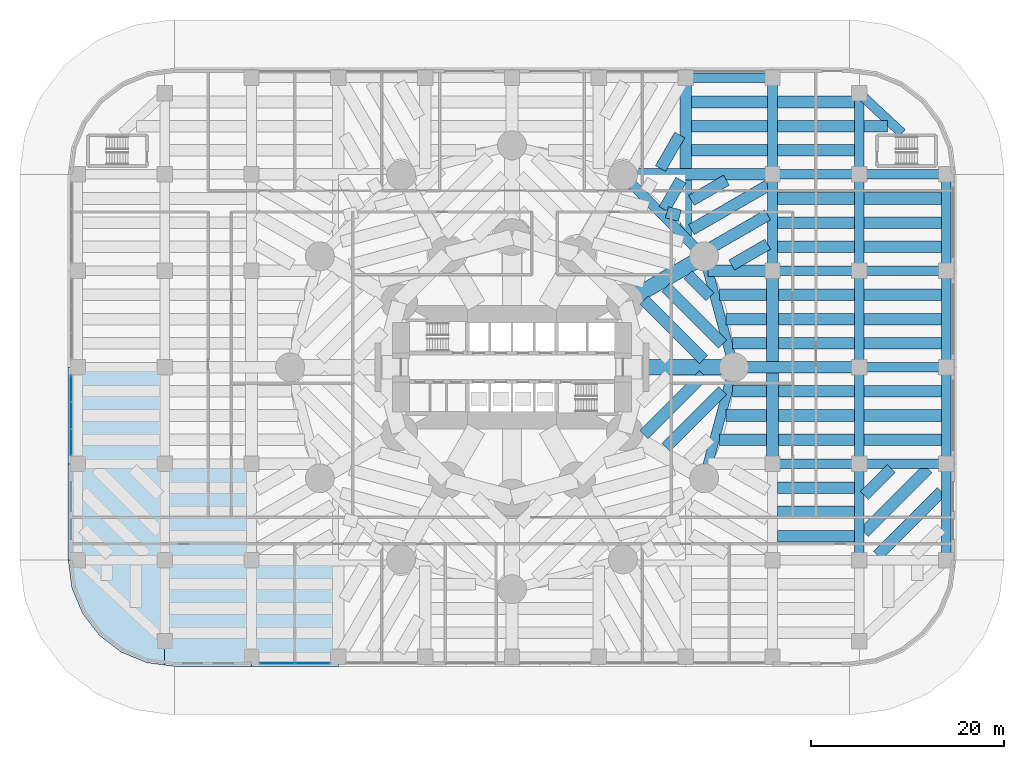
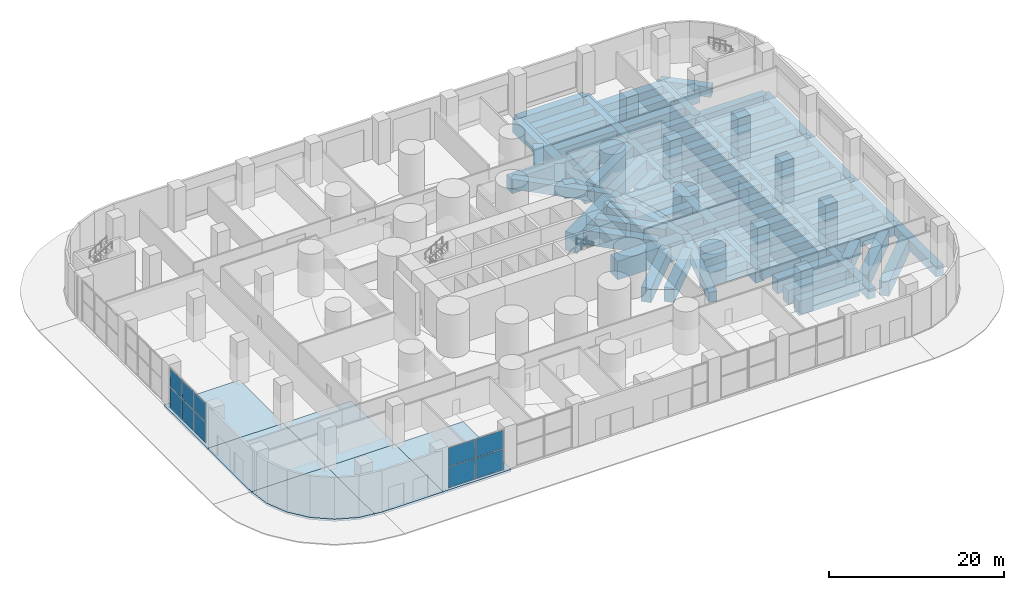
# One storey, part 9 of 20: 79 beams, 10 plates, 6 slabs, 3 elements without a shape of their own.
"""IFC4 building model written with IfcOpenShell, lengths in metres."""

from ifc_helpers import new_model, si_unit, direction, frame, origin, origin_2d, place, context, subcontext, project, spatial, polyline, rectangle, outline, extrude, material, layer, layer_set, material_profile, profile_set, type_object, element, aggregate, save


model = new_model("IFC4")

# Units and contexts
model_context = context("Model", 3, precision=1e-05, world=origin(), true_north=direction((0.0, 1.0)))
body_context = subcontext(model_context, "Body", "Model", "MODEL_VIEW")
ifc_project = project(units=[si_unit("LENGTHUNIT", "METRE"), si_unit("AREAUNIT", "SQUARE_METRE"), si_unit("VOLUMEUNIT", "CUBIC_METRE"), si_unit("PLANEANGLEUNIT", "RADIAN"), si_unit("MASSUNIT", "GRAM", prefix="KILO")], contexts=[model_context])

# Site, building, storey
site_placement = place(None, origin())
site = spatial("IfcSite", under=ifc_project, at=site_placement, CompositionType="ELEMENT")
building_placement = place(site_placement, origin())
building = spatial("IfcBuilding", under=site, at=building_placement, Name="Qaws Media Tower", CompositionType="ELEMENT")
storey_placement = place(building_placement, origin())
storey = spatial("IfcBuildingStorey", under=building, at=storey_placement, Name="L00", CompositionType="ELEMENT", Elevation=0.0)

# Beams
ifc_material_1 = material(Name="Concrete C60/75", Category="concrete")
ifc_material_profile_1 = material_profile(ifc_material_1, rectangle(XDim=1.0, YDim=1.39990234375, at=origin_2d()), Name="RC 1000x1400")
ifc_profile_set_1 = profile_set([ifc_material_profile_1], Name="Concrete C60/75")
beam_type_1 = type_object("IfcBeamType", Name="Podium edge beam RC 1000x1400", PredefinedType="BEAM", material=ifc_profile_set_1)
for number, where, z_axis, x_axis, name in (
    (1, (83.0, 50.0, -1.0), (-0.258809885148, 0.965928280645, 0.0), (-0.965928280645, -0.258809885148, 0.0), "PB3 beam M01-M02"),
    (2, (79.918701171875, 61.5, -1.0), (-0.707106781187, 0.707106781187, 0.0), (-0.707106781187, -0.707106781187, 0.0), "PB3 beam M02-M03"),
    (3, (79.918701171875, 38.5, -1.0), (0.258809885148, 0.965928280645, 0.0), (-0.965928280645, 0.258809885148, 0.0), "PB3 beam M12-M01"),
):
    element("IfcBeam", number, at=place(storey_placement, frame(where, z_axis=z_axis, x_axis=x_axis)), inside=storey, type_object=beam_type_1, Name=name, PredefinedType="BEAM", context=body_context, shape_type="SweptSolid", body=[
        extrude(rectangle(XDim=1.0, YDim=1.39990234375, at=origin_2d()), origin(), (0.0, 0.0, 1.0), 11.90576171875),
    ])
ifc_material_2 = material(Name="Concrete C60/75", Category="concrete")
ifc_material_profile_2 = material_profile(ifc_material_2, rectangle(XDim=1.0, YDim=1.39990234375, at=origin_2d()), Name="RC 1000x1400")
ifc_profile_set_2 = profile_set([ifc_material_profile_2], Name="Concrete C60/75")
beam_type_2 = type_object("IfcBeamType", Name="Podium girder RC 1000x1400", PredefinedType="BEAM", material=ifc_profile_set_2)
for number, where, z_axis, x_axis, name in (
    (4, (87.0, 40.0, -1.0), (1.0, 0.0, 0.0), (0.0, 1.0, 0.0), "PB5 beam 9-10/C"),
    (5, (96.0, 40.0, -1.0), (1.0, 0.0, 0.0), (0.0, 1.0, 0.0), "PB5 beam 10-11/C"),
    (6, (96.0, 50.0, -1.0), (1.0, 0.0, 0.0), (0.0, 1.0, 0.0), "PB5 beam 10-11/D"),
    (7, (87.0, 60.0, -1.0), (1.0, 0.0, 0.0), (0.0, 1.0, 0.0), "PB5 beam 9-10/E"),
    (8, (96.0, 60.0, -1.0), (1.0, 0.0, 0.0), (0.0, 1.0, 0.0), "PB5 beam 10-11/E"),
    (9, (87.0, 70.0, -1.0), (1.0, 0.0, 0.0), (0.0, 1.0, 0.0), "PB5 beam 9-10/F"),
    (10, (96.0, 70.0, -1.0), (1.0, 0.0, 0.0), (0.0, 1.0, 0.0), "PB5 beam 10-11/F"),
    (11, (78.0, 80.0, -1.0), (1.0, 0.0, 0.0), (0.0, 1.0, 0.0), "PB5 beam 8-9/G"),
):
    element("IfcBeam", number, at=place(storey_placement, frame(where, z_axis=z_axis, x_axis=x_axis)), inside=storey, type_object=beam_type_2, Name=name, PredefinedType="BEAM", context=body_context, shape_type="SweptSolid", body=[
        extrude(rectangle(XDim=1.0, YDim=1.39990234375, at=origin_2d()), origin(), (0.0, 0.0, 1.0), 9.0),
    ])
for number, where, z_axis, x_axis, name in (
    (12, (87.0, 60.0, -1.0), (0.0, 1.0, 0.0), (-1.0, 0.0, 0.0), "PB5 beam 9/E-F"),
    (13, (87.0, 70.0, -1.0), (0.0, 1.0, 0.0), (-1.0, 0.0, 0.0), "PB5 beam 9/F-G"),
    (14, (96.0, 30.0, -1.0), (0.0, 1.0, 0.0), (-1.0, 0.0, 0.0), "PB5 beam 10/B-C"),
    (15, (96.0, 40.0, -1.0), (0.0, 1.0, 0.0), (-1.0, 0.0, 0.0), "PB5 beam 10/C-D"),
    (16, (96.0, 50.0, -1.0), (0.0, 1.0, 0.0), (-1.0, 0.0, 0.0), "PB5 beam 10/D-E"),
    (17, (96.0, 60.0, -1.0), (0.0, 1.0, 0.0), (-1.0, 0.0, 0.0), "PB5 beam 10/E-F"),
):
    element("IfcBeam", number, at=place(storey_placement, frame(where, z_axis=z_axis, x_axis=x_axis)), inside=storey, type_object=beam_type_2, Name=name, PredefinedType="BEAM", context=body_context, shape_type="SweptSolid", body=[
        extrude(rectangle(XDim=1.0, YDim=1.39990234375, at=origin_2d()), origin(), (0.0, 0.0, 1.0), 10.0),
    ])
beam_1_placement = place(storey_placement, frame((96.0, 70.0, -1.0), z_axis=(0.0, 1.0, 0.0), x_axis=(-1.0, 0.0, 0.0)))
element("IfcBeam", 18, at=beam_1_placement, inside=storey, type_object=beam_type_2, Name="PB5 beam 10/F-G", PredefinedType="BEAM", context=body_context, shape_type="SweptSolid", body=[
    extrude(rectangle(XDim=1.0, YDim=1.39990234375, at=origin_2d()), origin(), (0.0, 0.0, 1.0), 8.39990234375),
])
for number, where, z_axis, x_axis, name in (
    (19, (105.0, 30.0, -1.0), (0.0, 1.0, 0.0), (-1.0, 0.0, 0.0), "PB5 beam 11/B-C"),
    (20, (105.0, 40.0, -1.0), (0.0, 1.0, 0.0), (-1.0, 0.0, 0.0), "PB5 beam 11/C-D"),
    (21, (105.0, 50.0, -1.0), (0.0, 1.0, 0.0), (-1.0, 0.0, 0.0), "PB5 beam 11/D-E"),
    (22, (105.0, 60.0, -1.0), (0.0, 1.0, 0.0), (-1.0, 0.0, 0.0), "PB5 beam 11/E-F"),
):
    element("IfcBeam", number, at=place(storey_placement, frame(where, z_axis=z_axis, x_axis=x_axis)), inside=storey, type_object=beam_type_2, Name=name, PredefinedType="BEAM", context=body_context, shape_type="SweptSolid", body=[
        extrude(rectangle(XDim=1.0, YDim=1.39990234375, at=origin_2d()), origin(), (0.0, 0.0, 1.0), 10.0),
    ])
beam_2_placement = place(storey_placement, frame((100.4267578125, 74.268310546875, -1.0), z_axis=(-0.731059290527, 0.682313940745, 0.0), x_axis=(-0.682313940745, -0.731059290527, 0.0)))
element("IfcBeam", 23, at=beam_2_placement, inside=storey, type_object=beam_type_2, Name="PB5 beam S4-10/G", PredefinedType="BEAM", context=body_context, shape_type="SweptSolid", body=[
    extrude(rectangle(XDim=1.0, YDim=1.39990234375, at=origin_2d()), origin(), (0.0, 0.0, 1.0), 6.05517578125),
])
ifc_material_3 = material(Name="Concrete C60/75", Category="concrete")
ifc_material_profile_3 = material_profile(ifc_material_3, rectangle(XDim=1.199951171875, YDim=2.0, at=origin_2d()), Name="RC 1200x2000")
ifc_profile_set_3 = profile_set([ifc_material_profile_3], Name="Concrete C60/75")
beam_type_3 = type_object("IfcBeamType", Name="Podium long trimmer beam RC 1200x2000", PredefinedType="BEAM", material=ifc_profile_set_3)
beam_3_placement = place(storey_placement, frame((87.0, 70.0, -1.300048828125), z_axis=(-1.0, 0.0, 0.0), x_axis=(0.0, -1.0, 0.0)))
element("IfcBeam", 24, at=beam_3_placement, inside=storey, type_object=beam_type_3, Name="PB11 beam 9/F to the tower ring", PredefinedType="BEAM", context=body_context, shape_type="SweptSolid", body=[
    extrude(rectangle(XDim=1.199951171875, YDim=2.0, at=origin_2d()), origin(), (0.0, 0.0, 1.0), 15.803955078125),
])
beam_4_placement = place(storey_placement, frame((78.0, 80.0, -1.300048828125), z_axis=(0.0, -1.0, 0.0), x_axis=(1.0, 0.0, 0.0)))
element("IfcBeam", 25, at=beam_4_placement, inside=storey, type_object=beam_type_3, Name="PB11 beam 8/G to the tower ring", PredefinedType="BEAM", context=body_context, shape_type="SweptSolid", body=[
    extrude(rectangle(XDim=1.199951171875, YDim=2.0, at=origin_2d()), origin(), (0.0, 0.0, 1.0), 16.581298828125),
])
beam_5_placement = place(storey_placement, frame((87.0, 40.0, -1.300048828125), z_axis=(0.0, 1.0, 0.0), x_axis=(-1.0, 0.0, 0.0)))
element("IfcBeam", 26, at=beam_5_placement, inside=storey, type_object=beam_type_3, Name="PB11 beam 9/C-9/E", PredefinedType="BEAM", context=body_context, shape_type="SweptSolid", body=[
    extrude(rectangle(XDim=1.199951171875, YDim=2.0, at=origin_2d()), origin(), (0.0, 0.0, 1.0), 20.0),
])
ifc_material_4 = material(Name="Concrete C60/75", Category="concrete")
ifc_material_profile_4 = material_profile(ifc_material_4, rectangle(XDim=1.199951171875, YDim=2.0, at=origin_2d()), Name="RC 1200x2000")
ifc_profile_set_4 = profile_set([ifc_material_profile_4], Name="Concrete C60/75")
beam_type_4 = type_object("IfcBeamType", Name="Podium secondary beam RC 1200x2000", PredefinedType="BEAM", material=ifc_profile_set_4)
beam_6_placement = place(storey_placement, frame((75.763671875, 66.362060546875, -1.300048828125), z_axis=(0.500001597329, 0.866024481564, 0.0), x_axis=(-0.866024481564, 0.500001597329, 0.0)))
element("IfcBeam", 27, at=beam_6_placement, inside=storey, type_object=beam_type_4, Name="PB7 beam bay 7E line 1", PredefinedType="BEAM", context=body_context, shape_type="SweptSolid", body=[
    extrude(rectangle(XDim=1.199951171875, YDim=2.0, at=origin_2d()), origin(), (0.0, 0.0, 1.0), 3.5078125),
])
beam_7_placement = place(storey_placement, frame((75.3916015625, 70.60009765625, -1.300048828125), z_axis=(0.500022371132, 0.86601248742, 0.0), x_axis=(-0.86601248742, 0.500022371132, 0.0)))
element("IfcBeam", 28, at=beam_7_placement, inside=storey, type_object=beam_type_4, Name="PB7 beam bay 7F line 1", PredefinedType="BEAM", context=body_context, shape_type="SweptSolid", body=[
    extrude(rectangle(XDim=1.199951171875, YDim=2.0, at=origin_2d()), origin(), (0.0, 0.0, 1.0), 4.016357421875),
])
beam_8_placement = place(storey_placement, frame((81.508056640625, 42.5, -1.300048828125), z_axis=(1.0, 0.0, 0.0), x_axis=(0.0, 1.0, 0.0)))
element("IfcBeam", 29, at=beam_8_placement, inside=storey, type_object=beam_type_4, Name="PB7 beam bay 8C line 1", PredefinedType="BEAM", context=body_context, shape_type="SweptSolid", body=[
    extrude(rectangle(XDim=1.199951171875, YDim=2.0, at=origin_2d()), origin(), (0.0, 0.0, 1.0), 4.891845703125),
])
beam_9_placement = place(storey_placement, frame((82.177978515625, 45.0, -1.300048828125), z_axis=(1.0, 0.0, 0.0), x_axis=(0.0, 1.0, 0.0)))
element("IfcBeam", 30, at=beam_9_placement, inside=storey, type_object=beam_type_4, Name="PB7 beam bay 8C line 2", PredefinedType="BEAM", context=body_context, shape_type="SweptSolid", body=[
    extrude(rectangle(XDim=1.199951171875, YDim=2.0, at=origin_2d()), origin(), (0.0, 0.0, 1.0), 4.221923828125),
])
for number, where, z_axis, x_axis, name in (
    (31, (82.84765625, 47.5, -1.300048828125), (1.0, 0.0, 0.0), (0.0, 1.0, 0.0), "PB7 beam bay 8C line 3"),
    (32, (82.84765625, 52.5, -1.300048828125), (1.0, 0.0, 0.0), (0.0, 1.0, 0.0), "PB7 beam bay 8D line 1"),
):
    element("IfcBeam", number, at=place(storey_placement, frame(where, z_axis=z_axis, x_axis=x_axis)), inside=storey, type_object=beam_type_4, Name=name, PredefinedType="BEAM", context=body_context, shape_type="SweptSolid", body=[
        extrude(rectangle(XDim=1.199951171875, YDim=2.0, at=origin_2d()), origin(), (0.0, 0.0, 1.0), 3.55224609375),
    ])
beam_10_placement = place(storey_placement, frame((82.177978515625, 55.0, -1.300048828125), z_axis=(1.0, 0.0, 0.0), x_axis=(0.0, 1.0, 0.0)))
element("IfcBeam", 33, at=beam_10_placement, inside=storey, type_object=beam_type_4, Name="PB7 beam bay 8D line 2", PredefinedType="BEAM", context=body_context, shape_type="SweptSolid", body=[
    extrude(rectangle(XDim=1.199951171875, YDim=2.0, at=origin_2d()), origin(), (0.0, 0.0, 1.0), 4.221923828125),
])
beam_11_placement = place(storey_placement, frame((81.508056640625, 57.5, -1.300048828125), z_axis=(1.0, 0.0, 0.0), x_axis=(0.0, 1.0, 0.0)))
element("IfcBeam", 34, at=beam_11_placement, inside=storey, type_object=beam_type_4, Name="PB7 beam bay 8D line 3", PredefinedType="BEAM", context=body_context, shape_type="SweptSolid", body=[
    extrude(rectangle(XDim=1.199951171875, YDim=2.0, at=origin_2d()), origin(), (0.0, 0.0, 1.0), 4.891845703125),
])
beam_12_placement = place(storey_placement, frame((82.775146484375, 60.60009765625, -1.300048828125), z_axis=(0.866040963478, 0.499973048851, 0.0), x_axis=(-0.499973048851, 0.866040963478, 0.0)))
element("IfcBeam", 35, at=beam_12_placement, inside=storey, type_object=beam_type_4, Name="PB7 beam bay 8E line 1", PredefinedType="BEAM", context=body_context, shape_type="SweptSolid", body=[
    extrude(rectangle(XDim=1.199951171875, YDim=2.0, at=origin_2d()), origin(), (0.0, 0.0, 1.0), 4.301025390625),
])
beam_13_placement = place(storey_placement, frame((80.05615234375, 62.069580078125, -1.300048828125), z_axis=(0.866033686948, 0.499985652865, 0.0), x_axis=(-0.499985652865, 0.866033686948, 0.0)))
element("IfcBeam", 36, at=beam_13_placement, inside=storey, type_object=beam_type_4, Name="PB7 beam bay 8E line 2", PredefinedType="BEAM", context=body_context, shape_type="SweptSolid", body=[
    extrude(rectangle(XDim=1.199951171875, YDim=2.0, at=origin_2d()), origin(), (0.0, 0.0, 1.0), 7.440673828125),
])
beam_14_placement = place(storey_placement, frame((78.60009765625, 64.26806640625, -1.300048828125), z_axis=(0.866024244995, 0.500002007077, 0.0), x_axis=(-0.500002007077, 0.866024244995, 0.0)))
element("IfcBeam", 37, at=beam_14_placement, inside=storey, type_object=beam_type_4, Name="PB7 beam bay 8E line 3", PredefinedType="BEAM", context=body_context, shape_type="SweptSolid", body=[
    extrude(rectangle(XDim=1.199951171875, YDim=2.0, at=origin_2d()), origin(), (0.0, 0.0, 1.0), 9.1220703125),
])
beam_15_placement = place(storey_placement, frame((78.60009765625, 67.30712890625, -1.300048828125), z_axis=(0.866023369196, 0.500003523994, 0.0), x_axis=(-0.500003523994, 0.866023369196, 0.0)))
element("IfcBeam", 38, at=beam_15_placement, inside=storey, type_object=beam_type_4, Name="PB7 beam bay 8E line 4", PredefinedType="BEAM", context=body_context, shape_type="SweptSolid", body=[
    extrude(rectangle(XDim=1.199951171875, YDim=2.0, at=origin_2d()), origin(), (0.0, 0.0, 1.0), 4.185546875),
])
for number, where, z_axis, x_axis, name in (
    (39, (78.60009765625, 72.5, -1.300048828125), (1.0, 0.0, 0.0), (0.0, 1.0, 0.0), "PB7 beam bay 8F line 1"),
    (40, (78.60009765625, 75.0, -1.300048828125), (1.0, 0.0, 0.0), (0.0, 1.0, 0.0), "PB7 beam bay 8F line 2"),
    (41, (78.60009765625, 77.5, -1.300048828125), (1.0, 0.0, 0.0), (0.0, 1.0, 0.0), "PB7 beam bay 8F line 3"),
):
    element("IfcBeam", number, at=place(storey_placement, frame(where, z_axis=z_axis, x_axis=x_axis)), inside=storey, type_object=beam_type_4, Name=name, PredefinedType="BEAM", context=body_context, shape_type="SweptSolid", body=[
        extrude(rectangle(XDim=1.199951171875, YDim=2.0, at=origin_2d()), origin(), (0.0, 0.0, 1.0), 7.89990234375),
    ])
for number, where, z_axis, x_axis, name in (
    (42, (87.5, 32.5, -1.300048828125), (1.0, 0.0, 0.0), (0.0, 1.0, 0.0), "PB7 beam bay 9B line 1"),
    (43, (87.5, 35.0, -1.300048828125), (1.0, 0.0, 0.0), (0.0, 1.0, 0.0), "PB7 beam bay 9B line 2"),
    (44, (87.5, 37.5, -1.300048828125), (1.0, 0.0, 0.0), (0.0, 1.0, 0.0), "PB7 beam bay 9B line 3"),
):
    element("IfcBeam", number, at=place(storey_placement, frame(where, z_axis=z_axis, x_axis=x_axis)), inside=storey, type_object=beam_type_4, Name=name, PredefinedType="BEAM", context=body_context, shape_type="SweptSolid", body=[
        extrude(rectangle(XDim=1.199951171875, YDim=2.0, at=origin_2d()), origin(), (0.0, 0.0, 1.0), 8.0),
    ])
for number, where, z_axis, x_axis, name in (
    (45, (87.60009765625, 42.5, -1.300048828125), (1.0, 0.0, 0.0), (0.0, 1.0, 0.0), "PB7 beam bay 9C line 1"),
    (46, (87.60009765625, 45.0, -1.300048828125), (1.0, 0.0, 0.0), (0.0, 1.0, 0.0), "PB7 beam bay 9C line 2"),
    (47, (87.60009765625, 47.5, -1.300048828125), (1.0, 0.0, 0.0), (0.0, 1.0, 0.0), "PB7 beam bay 9C line 3"),
    (48, (87.60009765625, 52.5, -1.300048828125), (1.0, 0.0, 0.0), (0.0, 1.0, 0.0), "PB7 beam bay 9D line 1"),
    (49, (87.60009765625, 55.0, -1.300048828125), (1.0, 0.0, 0.0), (0.0, 1.0, 0.0), "PB7 beam bay 9D line 2"),
    (50, (87.60009765625, 57.5, -1.300048828125), (1.0, 0.0, 0.0), (0.0, 1.0, 0.0), "PB7 beam bay 9D line 3"),
):
    element("IfcBeam", number, at=place(storey_placement, frame(where, z_axis=z_axis, x_axis=x_axis)), inside=storey, type_object=beam_type_4, Name=name, PredefinedType="BEAM", context=body_context, shape_type="SweptSolid", body=[
        extrude(rectangle(XDim=1.199951171875, YDim=2.0, at=origin_2d()), origin(), (0.0, 0.0, 1.0), 7.89990234375),
    ])
for number, where, z_axis, x_axis, name in (
    (51, (87.5, 62.5, -1.300048828125), (1.0, 0.0, 0.0), (0.0, 1.0, 0.0), "PB7 beam bay 9E line 1"),
    (52, (87.5, 65.0, -1.300048828125), (1.0, 0.0, 0.0), (0.0, 1.0, 0.0), "PB7 beam bay 9E line 2"),
    (53, (87.5, 67.5, -1.300048828125), (1.0, 0.0, 0.0), (0.0, 1.0, 0.0), "PB7 beam bay 9E line 3"),
    (54, (87.5, 72.5, -1.300048828125), (1.0, 0.0, 0.0), (0.0, 1.0, 0.0), "PB7 beam bay 9F line 1"),
    (55, (87.5, 75.0, -1.300048828125), (1.0, 0.0, 0.0), (0.0, 1.0, 0.0), "PB7 beam bay 9F line 2"),
    (56, (87.5, 77.5, -1.300048828125), (1.0, 0.0, 0.0), (0.0, 1.0, 0.0), "PB7 beam bay 9F line 3"),
):
    element("IfcBeam", number, at=place(storey_placement, frame(where, z_axis=z_axis, x_axis=x_axis)), inside=storey, type_object=beam_type_4, Name=name, PredefinedType="BEAM", context=body_context, shape_type="SweptSolid", body=[
        extrude(rectangle(XDim=1.199951171875, YDim=2.0, at=origin_2d()), origin(), (0.0, 0.0, 1.0), 8.0),
    ])
for number, where, z_axis, x_axis, name in (
    (57, (97.89990234375, 30.5, -1.300048828125), (0.707106781187, 0.707106781187, 0.0), (-0.707106781187, 0.707106781187, 0.0), "PB7 beam bay 10B line 2"),
    (58, (96.5, 32.89990234375, -1.300048828125), (0.707106781187, 0.707106781187, 0.0), (-0.707106781187, 0.707106781187, 0.0), "PB7 beam bay 10B line 3"),
):
    element("IfcBeam", number, at=place(storey_placement, frame(where, z_axis=z_axis, x_axis=x_axis)), inside=storey, type_object=beam_type_4, Name=name, PredefinedType="BEAM", context=body_context, shape_type="SweptSolid", body=[
        extrude(rectangle(XDim=1.199951171875, YDim=2.0, at=origin_2d()), origin(), (0.0, 0.0, 1.0), 9.333984375),
    ])
beam_16_placement = place(storey_placement, frame((96.5, 36.699951171875, -1.300048828125), z_axis=(0.707106781187, 0.707106781187, 0.0), x_axis=(-0.707106781187, 0.707106781187, 0.0)))
element("IfcBeam", 59, at=beam_16_placement, inside=storey, type_object=beam_type_4, Name="PB7 beam bay 10B line 4", PredefinedType="BEAM", context=body_context, shape_type="SweptSolid", body=[
    extrude(rectangle(XDim=1.199951171875, YDim=2.0, at=origin_2d()), origin(), (0.0, 0.0, 1.0), 3.9599609375),
])
for number, where, z_axis, x_axis, name in (
    (60, (96.5, 42.5, -1.300048828125), (1.0, 0.0, 0.0), (0.0, 1.0, 0.0), "PB7 beam bay 10C line 1"),
    (61, (96.5, 45.0, -1.300048828125), (1.0, 0.0, 0.0), (0.0, 1.0, 0.0), "PB7 beam bay 10C line 2"),
    (62, (96.5, 47.5, -1.300048828125), (1.0, 0.0, 0.0), (0.0, 1.0, 0.0), "PB7 beam bay 10C line 3"),
    (63, (96.5, 52.5, -1.300048828125), (1.0, 0.0, 0.0), (0.0, 1.0, 0.0), "PB7 beam bay 10D line 1"),
    (64, (96.5, 55.0, -1.300048828125), (1.0, 0.0, 0.0), (0.0, 1.0, 0.0), "PB7 beam bay 10D line 2"),
    (65, (96.5, 57.5, -1.300048828125), (1.0, 0.0, 0.0), (0.0, 1.0, 0.0), "PB7 beam bay 10D line 3"),
    (66, (96.5, 62.5, -1.300048828125), (1.0, 0.0, 0.0), (0.0, 1.0, 0.0), "PB7 beam bay 10E line 1"),
    (67, (96.5, 65.0, -1.300048828125), (1.0, 0.0, 0.0), (0.0, 1.0, 0.0), "PB7 beam bay 10E line 2"),
    (68, (96.5, 67.5, -1.300048828125), (1.0, 0.0, 0.0), (0.0, 1.0, 0.0), "PB7 beam bay 10E line 3"),
):
    element("IfcBeam", number, at=place(storey_placement, frame(where, z_axis=z_axis, x_axis=x_axis)), inside=storey, type_object=beam_type_4, Name=name, PredefinedType="BEAM", context=body_context, shape_type="SweptSolid", body=[
        extrude(rectangle(XDim=1.199951171875, YDim=2.0, at=origin_2d()), origin(), (0.0, 0.0, 1.0), 8.0),
    ])
beam_17_placement = place(storey_placement, frame((96.5, 75.0, -1.300048828125), z_axis=(1.0, 0.0, 0.0), x_axis=(0.0, 1.0, 0.0)))
element("IfcBeam", 69, at=beam_17_placement, inside=storey, type_object=beam_type_4, Name="PB7 beam bay 10F line 1", PredefinedType="BEAM", context=body_context, shape_type="SweptSolid", body=[
    extrude(rectangle(XDim=1.199951171875, YDim=2.0, at=origin_2d()), origin(), (0.0, 0.0, 1.0), 2.41015625),
])
beam_18_placement = place(storey_placement, frame((80.523193359375, 57.311767578125, -1.300048828125), z_axis=(-0.707144458383, 0.707069101983, 0.0), x_axis=(-0.707069101983, -0.707144458383, 0.0)))
element("IfcBeam", 70, at=beam_18_placement, inside=storey, type_object=beam_type_4, Name="PB7 beam bay T01 line 1", PredefinedType="BEAM", context=body_context, shape_type="SweptSolid", body=[
    extrude(rectangle(XDim=1.199951171875, YDim=2.0, at=origin_2d()), origin(), (0.0, 0.0, 1.0), 3.23974609375),
])
beam_19_placement = place(storey_placement, frame((81.8349609375, 52.416259765625, -1.300048828125), z_axis=(-0.707106781187, 0.707106781187, 0.0), x_axis=(-0.707106781187, -0.707106781187, 0.0)))
element("IfcBeam", 71, at=beam_19_placement, inside=storey, type_object=beam_type_4, Name="PB7 beam bay T01 line 2", PredefinedType="BEAM", context=body_context, shape_type="SweptSolid", body=[
    extrude(rectangle(XDim=1.199951171875, YDim=2.0, at=origin_2d()), origin(), (0.0, 0.0, 1.0), 8.30810546875),
])
beam_20_placement = place(storey_placement, frame((79.867431640625, 50.800048828125, -1.300048828125), z_axis=(-0.707106781187, 0.707106781187, 0.0), x_axis=(-0.707106781187, -0.707106781187, 0.0)))
element("IfcBeam", 72, at=beam_20_placement, inside=storey, type_object=beam_type_4, Name="PB7 beam bay T01 line 3", PredefinedType="BEAM", context=body_context, shape_type="SweptSolid", body=[
    extrude(rectangle(XDim=1.199951171875, YDim=2.0, at=origin_2d()), origin(), (0.0, 0.0, 1.0), 8.73876953125),
])
beam_21_placement = place(storey_placement, frame((77.39990234375, 65.714111328125, -1.300048828125), z_axis=(-0.965927004363, 0.25881464843, 0.0), x_axis=(-0.25881464843, -0.965927004363, 0.0)))
element("IfcBeam", 73, at=beam_21_placement, inside=storey, type_object=beam_type_4, Name="PB7 beam bay T02 line 1", PredefinedType="BEAM", context=body_context, shape_type="SweptSolid", body=[
    extrude(rectangle(XDim=1.199951171875, YDim=2.0, at=origin_2d()), origin(), (0.0, 0.0, 1.0), 1.39794921875),
])
beam_22_placement = place(storey_placement, frame((75.960205078125, 41.708984375, -1.300048828125), z_axis=(0.707106781187, 0.707106781187, 0.0), x_axis=(-0.707106781187, 0.707106781187, 0.0)))
element("IfcBeam", 74, at=beam_22_placement, inside=storey, type_object=beam_type_4, Name="PB7 beam bay T12 line 2", PredefinedType="BEAM", context=body_context, shape_type="SweptSolid", body=[
    extrude(rectangle(XDim=1.199951171875, YDim=2.0, at=origin_2d()), origin(), (0.0, 0.0, 1.0), 8.30810546875),
])
beam_23_placement = place(storey_placement, frame((73.688232421875, 43.020751953125, -1.300048828125), z_axis=(0.707106781187, 0.707106781187, 0.0), x_axis=(-0.707106781187, 0.707106781187, 0.0)))
element("IfcBeam", 75, at=beam_23_placement, inside=storey, type_object=beam_type_4, Name="PB7 beam bay T12 line 3", PredefinedType="BEAM", context=body_context, shape_type="SweptSolid", body=[
    extrude(rectangle(XDim=1.199951171875, YDim=2.0, at=origin_2d()), origin(), (0.0, 0.0, 1.0), 8.73876953125),
])
ifc_material_5 = material(Name="Concrete C60/75", Category="concrete")
ifc_material_profile_5 = material_profile(ifc_material_5, rectangle(XDim=1.60009765625, YDim=2.60009765625, at=origin_2d()), Name="RC 1600x2600")
ifc_profile_set_5 = profile_set([ifc_material_profile_5], Name="Concrete C60/75")
beam_type_5 = type_object("IfcBeamType", Name="Podium tower beam RC 1600x2600", PredefinedType="BEAM", material=ifc_profile_set_5)
for number, where, z_axis, x_axis, name in (
    (76, (73.5, 50.0, -1.60009765625), (1.0, 0.0, 0.0), (0.0, 1.0, 0.0), "PB9 beam I01-M01"),
    (77, (71.69140625, 56.75, -1.60009765625), (0.86602681393, 0.499997557548, 0.0), (-0.499997557548, 0.86602681393, 0.0), "PB9 beam I02-M02"),
):
    element("IfcBeam", number, at=place(storey_placement, frame(where, z_axis=z_axis, x_axis=x_axis)), inside=storey, type_object=beam_type_5, Name=name, PredefinedType="BEAM", context=body_context, shape_type="SweptSolid", body=[
        extrude(rectangle(XDim=1.60009765625, YDim=2.60009765625, at=origin_2d()), origin(), (0.0, 0.0, 1.0), 9.5),
    ])
ifc_material_6 = material(Name="Concrete C60/75", Category="concrete")
ifc_material_profile_6 = material_profile(ifc_material_6, rectangle(XDim=1.199951171875, YDim=2.0, at=origin_2d()), Name="RC 1200x2000")
ifc_profile_set_6 = profile_set([ifc_material_profile_6], Name="Concrete C60/75")
beam_type_6 = type_object("IfcBeamType", Name="Podium trimmer beam RC 1200x2000", PredefinedType="BEAM", material=ifc_profile_set_6)
beam_24_placement = place(storey_placement, frame((96.0, 50.0, -1.300048828125), z_axis=(-1.0, 0.0, 0.0), x_axis=(0.0, -1.0, 0.0)))
element("IfcBeam", 78, at=beam_24_placement, inside=storey, type_object=beam_type_6, Name="PB4 beam 10/D to the tower ring", PredefinedType="BEAM", context=body_context, shape_type="SweptSolid", body=[
    extrude(rectangle(XDim=1.199951171875, YDim=2.0, at=origin_2d()), origin(), (0.0, 0.0, 1.0), 13.0),
])
beam_25_placement = place(storey_placement, frame((87.0, 60.0, -1.300048828125), z_axis=(-1.0, 0.0, 0.0), x_axis=(0.0, -1.0, 0.0)))
element("IfcBeam", 79, at=beam_25_placement, inside=storey, type_object=beam_type_6, Name="PB4 beam 9/E to the tower ring", PredefinedType="BEAM", context=body_context, shape_type="SweptSolid", body=[
    extrude(rectangle(XDim=1.199951171875, YDim=2.0, at=origin_2d()), origin(), (0.0, 0.0, 1.0), 6.679443359375),
])

# Curtain wall, plates
ifc_material_7 = material(Name="Aluminium and clear glass", Category="aluminium")
curtain_wall_type = type_object("IfcCurtainWallType", Name="Podium shopfront CW-P", PredefinedType="NOTDEFINED", material=ifc_material_7)
curtain_wall_1_placement = place(storey_placement, origin())
curtain_wall_1 = element("IfcCurtainWall", 80, at=curtain_wall_1_placement, inside=storey, type_object=curtain_wall_type, Name="CWP shopfront L00 W3", PredefinedType="NOTDEFINED")
ifc_material_8 = material(Name="Clear laminated double glazing", Category="glass")
ifc_layer_1 = layer(ifc_material_8, 0.031982421875)
ifc_layer_set_1 = layer_set([ifc_layer_1], Name="Curtain wall glass unit 32")
plate_type = type_object("IfcPlateType", Name="Curtain wall glass unit 32", PredefinedType="CURTAIN_PANEL", material=ifc_layer_set_1)
plate_1_placement = place(storey_placement, frame((14.300048828125, 47.780029296875, 0.080078125), z_axis=(0.0, 0.0, 1.0), x_axis=(0.0, -1.0, 0.0)))
plate_1 = element("IfcPlate", 81, at=plate_1_placement, type_object=plate_type, Name="CWP panel 1.1", PredefinedType="CURTAIN_PANEL", context=body_context, shape_type="SweptSolid", body=[
    extrude(rectangle(XDim=2.679931640625, YDim=0.031982421875, at=origin_2d()), origin(), (0.0, 0.0, 1.0), 2.8798828125),
])
plate_2_placement = place(storey_placement, frame((14.300048828125, 47.780029296875, 3.0400390625), z_axis=(0.0, 0.0, 1.0), x_axis=(0.0, -1.0, 0.0)))
plate_2 = element("IfcPlate", 82, at=plate_2_placement, type_object=plate_type, Name="CWP panel 1.2", PredefinedType="CURTAIN_PANEL", context=body_context, shape_type="SweptSolid", body=[
    extrude(rectangle(XDim=2.679931640625, YDim=0.031982421875, at=origin_2d()), origin(), (0.0, 0.0, 1.0), 2.580078125),
])
plate_3_placement = place(storey_placement, frame((14.300048828125, 45.0, 0.080078125), z_axis=(0.0, 0.0, 1.0), x_axis=(0.0, -1.0, 0.0)))
plate_3 = element("IfcPlate", 83, at=plate_3_placement, type_object=plate_type, Name="CWP panel 2.1", PredefinedType="CURTAIN_PANEL", context=body_context, shape_type="SweptSolid", body=[
    extrude(rectangle(XDim=2.719970703125, YDim=0.031982421875, at=origin_2d()), origin(), (0.0, 0.0, 1.0), 2.8798828125),
])
plate_4_placement = place(storey_placement, frame((14.300048828125, 45.0, 3.0400390625), z_axis=(0.0, 0.0, 1.0), x_axis=(0.0, -1.0, 0.0)))
plate_4 = element("IfcPlate", 84, at=plate_4_placement, type_object=plate_type, Name="CWP panel 2.2", PredefinedType="CURTAIN_PANEL", context=body_context, shape_type="SweptSolid", body=[
    extrude(rectangle(XDim=2.719970703125, YDim=0.031982421875, at=origin_2d()), origin(), (0.0, 0.0, 1.0), 2.580078125),
])
plate_5_placement = place(storey_placement, frame((14.300048828125, 42.219970703125, 0.080078125), z_axis=(0.0, 0.0, 1.0), x_axis=(0.0, -1.0, 0.0)))
plate_5 = element("IfcPlate", 85, at=plate_5_placement, type_object=plate_type, Name="CWP panel 3.1", PredefinedType="CURTAIN_PANEL", context=body_context, shape_type="SweptSolid", body=[
    extrude(rectangle(XDim=2.679931640625, YDim=0.031982421875, at=origin_2d()), origin(), (0.0, 0.0, 1.0), 2.8798828125),
])
plate_6_placement = place(storey_placement, frame((14.300048828125, 42.219970703125, 3.0400390625), z_axis=(0.0, 0.0, 1.0), x_axis=(0.0, -1.0, 0.0)))
plate_6 = element("IfcPlate", 86, at=plate_6_placement, type_object=plate_type, Name="CWP panel 3.2", PredefinedType="CURTAIN_PANEL", context=body_context, shape_type="SweptSolid", body=[
    extrude(rectangle(XDim=2.679931640625, YDim=0.031982421875, at=origin_2d()), origin(), (0.0, 0.0, 1.0), 2.580078125),
])
aggregate(curtain_wall_1, [plate_1, plate_2, plate_3, plate_4, plate_5, plate_6])

curtain_wall_2_placement = place(storey_placement, origin())
curtain_wall_2 = element("IfcCurtainWall", 87, at=curtain_wall_2_placement, inside=storey, type_object=curtain_wall_type, Name="CWP shopfront L00 S2", PredefinedType="NOTDEFINED")
plate_7_placement = place(storey_placement, frame((35.64990234375, 19.300048828125, 0.080078125), z_axis=(0.0, 0.0, 1.0), x_axis=(1.0, 0.0, 0.0)))
plate_7 = element("IfcPlate", 88, at=plate_7_placement, type_object=plate_type, Name="CWP panel 1.1", PredefinedType="CURTAIN_PANEL", context=body_context, shape_type="SweptSolid", body=[
    extrude(rectangle(XDim=3.5400390625, YDim=0.031982421875, at=origin_2d()), origin(), (0.0, 0.0, 1.0), 2.8798828125),
])
plate_8_placement = place(storey_placement, frame((35.64990234375, 19.300048828125, 3.0400390625), z_axis=(0.0, 0.0, 1.0), x_axis=(1.0, 0.0, 0.0)))
plate_8 = element("IfcPlate", 89, at=plate_8_placement, type_object=plate_type, Name="CWP panel 1.2", PredefinedType="CURTAIN_PANEL", context=body_context, shape_type="SweptSolid", body=[
    extrude(rectangle(XDim=3.5400390625, YDim=0.031982421875, at=origin_2d()), origin(), (0.0, 0.0, 1.0), 2.580078125),
])
aggregate(curtain_wall_2, [plate_7, plate_8])

curtain_wall_3_placement = place(storey_placement, origin())
curtain_wall_3 = element("IfcCurtainWall", 90, at=curtain_wall_3_placement, inside=storey, type_object=curtain_wall_type, Name="CWP shopfront L00 S3", PredefinedType="NOTDEFINED")
plate_9_placement = place(storey_placement, frame((39.35009765625, 19.300048828125, 0.080078125), z_axis=(0.0, 0.0, 1.0), x_axis=(1.0, 0.0, 0.0)))
plate_9 = element("IfcPlate", 91, at=plate_9_placement, type_object=plate_type, Name="CWP panel 1.1", PredefinedType="CURTAIN_PANEL", context=body_context, shape_type="SweptSolid", body=[
    extrude(rectangle(XDim=3.5400390625, YDim=0.031982421875, at=origin_2d()), origin(), (0.0, 0.0, 1.0), 2.8798828125),
])
plate_10_placement = place(storey_placement, frame((39.35009765625, 19.300048828125, 3.0400390625), z_axis=(0.0, 0.0, 1.0), x_axis=(1.0, 0.0, 0.0)))
plate_10 = element("IfcPlate", 92, at=plate_10_placement, type_object=plate_type, Name="CWP panel 1.2", PredefinedType="CURTAIN_PANEL", context=body_context, shape_type="SweptSolid", body=[
    extrude(rectangle(XDim=3.5400390625, YDim=0.031982421875, at=origin_2d()), origin(), (0.0, 0.0, 1.0), 2.580078125),
])
aggregate(curtain_wall_3, [plate_9, plate_10])

# Slabs
ifc_material_9 = material(Name="Concrete C40/50", Category="concrete")
ifc_layer_2 = layer(ifc_material_9, 0.300048828125)
ifc_layer_set_2 = layer_set([ifc_layer_2], Name="Podium slab 300")
slab_type = type_object("IfcSlabType", Name="Podium slab 300", PredefinedType="FLOOR", material=ifc_layer_set_2)
slab_1_placement = place(storey_placement, frame((0.0, 0.0, -0.300048828125)))
element("IfcSlab", 93, at=slab_1_placement, inside=storey, type_object=slab_type, Name="S3 slab L00 bay 1-2/A-B", PredefinedType="FLOOR", context=body_context, shape_type="SweptSolid", body=[
    extrude(outline(polyline([(17.2216796875, 22.2216796875), (15.4736328125, 24.5), (14.374755859375, 27.153076171875), (14.0, 30.0), (24.0, 30.0), (24.0, 19.131591796875), (22.153076171875, 19.374755859375), (19.5, 20.4736328125), (17.2216796875, 22.2216796875)])), origin(), (0.0, 0.0, 1.0), 0.300048828125),
])
slab_2_placement = place(storey_placement, frame((0.0, 0.0, -0.300048828125)))
element("IfcSlab", 94, at=slab_2_placement, inside=storey, type_object=slab_type, Name="S3 slab L00 bay 1-2/B-C", PredefinedType="FLOOR", context=body_context, shape_type="SweptSolid", body=[
    extrude(outline(polyline([(14.0, 40.0), (24.0, 40.0), (24.0, 30.0), (14.0, 30.0), (14.0, 40.0)])), origin(), (0.0, 0.0, 1.0), 0.300048828125),
])
slab_3_placement = place(storey_placement, frame((0.0, 0.0, -0.300048828125)))
element("IfcSlab", 95, at=slab_3_placement, inside=storey, type_object=slab_type, Name="S3 slab L00 bay 1-2/C-D", PredefinedType="FLOOR", context=body_context, shape_type="SweptSolid", body=[
    extrude(outline(polyline([(14.0, 50.0), (24.0, 50.0), (24.0, 40.0), (14.0, 40.0), (14.0, 50.0)])), origin(), (0.0, 0.0, 1.0), 0.300048828125),
])
slab_4_placement = place(storey_placement, frame((0.0, 0.0, -0.300048828125)))
element("IfcSlab", 96, at=slab_4_placement, inside=storey, type_object=slab_type, Name="S3 slab L00 bay 2-3/A-B", PredefinedType="FLOOR", context=body_context, shape_type="SweptSolid", body=[
    extrude(outline(polyline([(25.0, 19.0), (24.0, 19.131591796875), (24.0, 30.0), (33.0, 30.0), (33.0, 19.0), (25.0, 19.0)])), origin(), (0.0, 0.0, 1.0), 0.300048828125),
])
slab_5_placement = place(storey_placement, frame((0.0, 0.0, -0.300048828125)))
element("IfcSlab", 97, at=slab_5_placement, inside=storey, type_object=slab_type, Name="S3 slab L00 bay 2-3/B-C", PredefinedType="FLOOR", context=body_context, shape_type="SweptSolid", body=[
    extrude(outline(polyline([(24.0, 30.0), (24.0, 40.0), (33.0, 40.0), (33.0, 30.0), (24.0, 30.0)])), origin(), (0.0, 0.0, 1.0), 0.300048828125),
])
slab_6_placement = place(storey_placement, frame((0.0, 0.0, -0.300048828125)))
element("IfcSlab", 98, at=slab_6_placement, inside=storey, type_object=slab_type, Name="S3 slab L00 bay 3-4/A-B", PredefinedType="FLOOR", context=body_context, shape_type="SweptSolid", body=[
    extrude(outline(polyline([(33.0, 19.0), (33.0, 30.0), (42.0, 30.0), (42.0, 19.0), (33.0, 19.0)])), origin(), (0.0, 0.0, 1.0), 0.300048828125),
])

save(model, "model.ifc")
